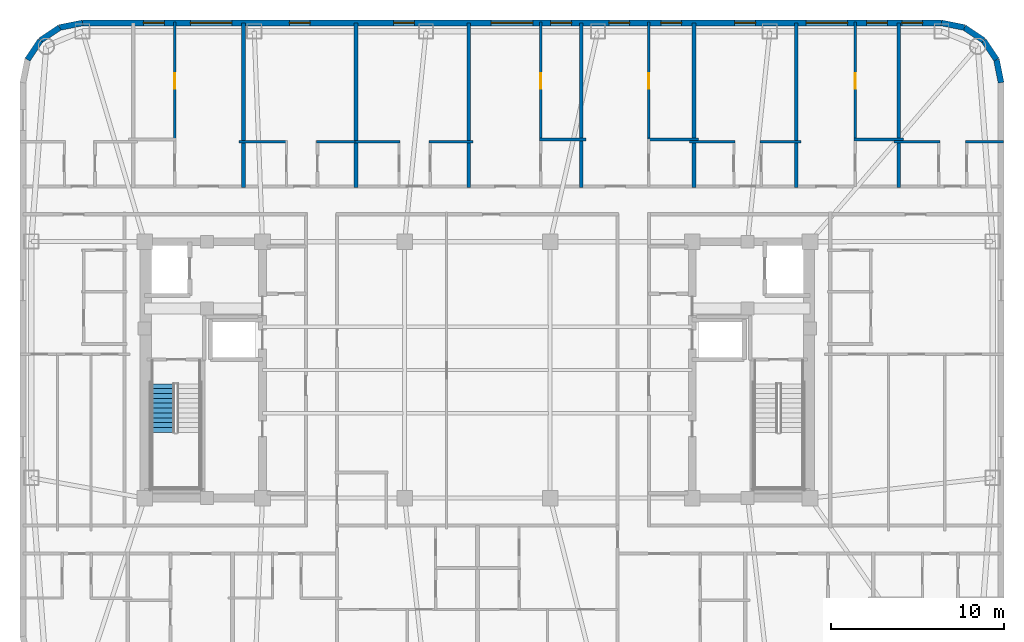
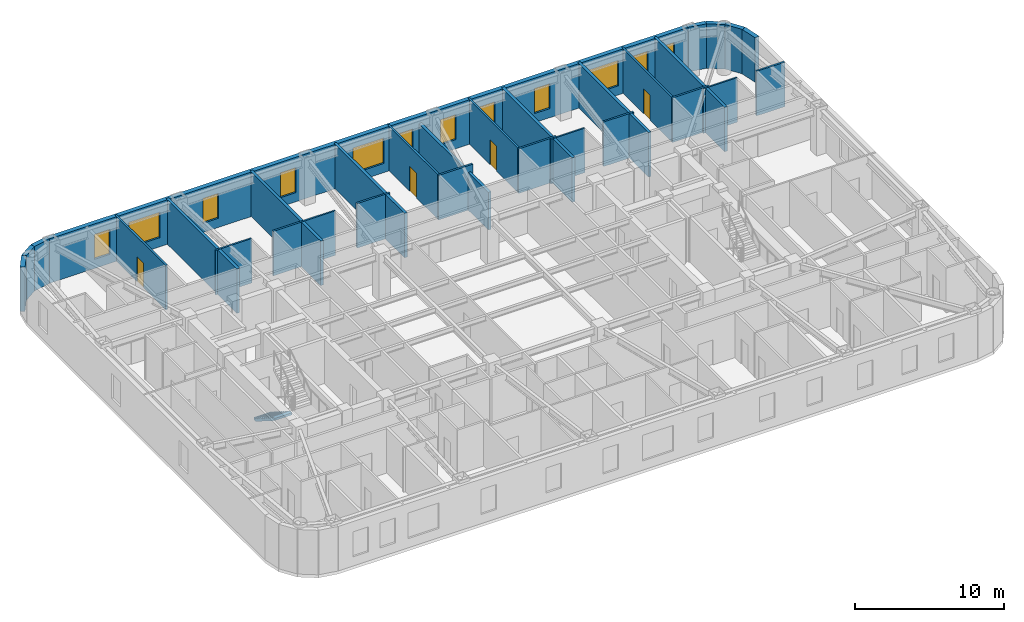
# One storey, part 8 of 11: 30 walls, 12 windows, 4 doors, 1 stair flight, 16 openings, 1 element without a shape of its own.
"""IFC4 building model written with IfcOpenShell, lengths in metres."""

from ifc_helpers import new_model, si_unit, direction, frame, frame_2d, origin, place, context, subcontext, project, spatial, polyline, rectangle, outline, extrude, material, layer, layer_set, type_object, element, fill, aggregate, save


model = new_model("IFC4")

# Units and contexts
model_context = context("Model", 3, precision=1e-05, world=origin(), true_north=direction((0.0, 1.0)))
body_context = subcontext(model_context, "Body", "Model", "MODEL_VIEW")
ifc_project = project(units=[si_unit("LENGTHUNIT", "METRE"), si_unit("AREAUNIT", "SQUARE_METRE"), si_unit("VOLUMEUNIT", "CUBIC_METRE"), si_unit("PLANEANGLEUNIT", "RADIAN"), si_unit("MASSUNIT", "GRAM", prefix="KILO")], contexts=[model_context])

# Site, building, storey
site_placement = place(None, origin())
site = spatial("IfcSite", under=ifc_project, at=site_placement, CompositionType="ELEMENT")
building_placement = place(site_placement, origin())
building = spatial("IfcBuilding", under=site, at=building_placement, Name="Voryun Gate Residences", CompositionType="ELEMENT")
storey_placement = place(building_placement, frame((0.0, 0.0, 247.0)))
storey = spatial("IfcBuildingStorey", under=building, at=storey_placement, Name="L61", CompositionType="ELEMENT", Elevation=247.0)

# Walls
ifc_material_1 = material(Name="Charcoal terracotta masonry", Category="masonry")
ifc_layer_1 = layer(ifc_material_1, 0.340087890625, Name="W_EXT_TERRACOTTA_340")
ifc_layer_set_1 = layer_set([ifc_layer_1], Name="Charcoal terracotta masonry")
wall_type_1 = type_object("IfcWallType", Name="W_EXT_TERRACOTTA_340", PredefinedType="ELEMENTEDWALL", material=ifc_layer_set_1)
for number, where, z_axis, x_axis, name in (
    (1, (-25.9658203125, 17.911376953125, 0.0), (0.0, 0.0, 1.0), (0.555669034571, 0.831403586725, 0.0), "Exterior wall WEXT-L61-08"),
    (2, (-25.222900390625, 19.02294921875, 0.0), (0.0, 0.0, 1.0), (0.831403586725, 0.555669034571, 0.0), "Exterior wall WEXT-L61-09"),
):
    element("IfcWall", number, at=place(storey_placement, frame(where, z_axis=z_axis, x_axis=x_axis)), inside=storey, type_object=wall_type_1, Name=name, PredefinedType="ELEMENTEDWALL", context=body_context, shape_type="SweptSolid", body=[
        extrude(rectangle(XDim=1.3369140625, YDim=0.340087890625, at=frame_2d((0.66845703125, 0.0))), origin(), (0.0, 0.0, 1.0), 3.64990234375),
    ])
wall_1_placement = place(storey_placement, frame((-24.111328125, 19.765869140625, 0.0), z_axis=(0.0, 0.0, 1.0), x_axis=(0.980788153188, 0.195075878998, 0.0)))
element("IfcWall", 3, at=wall_1_placement, inside=storey, type_object=wall_type_1, Name="Exterior wall WEXT-L61-10", PredefinedType="ELEMENTEDWALL", context=body_context, shape_type="SweptSolid", body=[
    extrude(rectangle(XDim=1.354248046875, YDim=0.340087890625, at=frame_2d((0.67724609375, 0.0))), origin(), (0.0, 0.0, 1.0), 3.64990234375),
])

# Wall, openings, windows
wall_2_placement = place(storey_placement, frame((-22.783203125, 20.030029296875, 0.0), z_axis=(0.0, 0.0, 1.0), x_axis=(1.0, 0.0, 0.0)))
wall_2 = element("IfcWall", 4, at=wall_2_placement, inside=storey, type_object=wall_type_1, Name="Exterior wall WEXT-L61-11", PredefinedType="ELEMENTEDWALL", context=body_context, shape_type="SweptSolid", body=[
    extrude(rectangle(XDim=49.56640625, YDim=0.340087890625, at=frame_2d((24.783203125, 0.0))), origin(), (0.0, 0.0, 1.0), 3.64990234375),
])
opening_1_placement = place(wall_2_placement, frame((6.211181640625, 0.0, 0.75)))
opening_1 = element("IfcOpeningElement", 5, at=opening_1_placement, cuts=wall_2, Name="Opening WN2", PredefinedType="OPENING", context=body_context, shape_type="SweptSolid", body=[
    extrude(rectangle(XDim=2.39990234375, YDim=2.10009765625, at=frame_2d((1.199951171875, 1.050048828125))), frame((0.0, 0.179931640625, 0.0), z_axis=(0.0, -1.0, 0.0), x_axis=(1.0, 0.0, 0.0)), (0.0, 0.0, 1.0), 0.360107421875),
])
opening_2_placement = place(wall_2_placement, frame((23.583251953125, 0.0, 0.75)))
opening_2 = element("IfcOpeningElement", 6, at=opening_2_placement, cuts=wall_2, Name="Opening WN2", PredefinedType="OPENING", context=body_context, shape_type="SweptSolid", body=[
    extrude(rectangle(XDim=2.39990234375, YDim=2.10009765625, at=frame_2d((1.199951171875, 1.050048828125))), frame((0.0, 0.179931640625, 0.0), z_axis=(0.0, -1.0, 0.0), x_axis=(1.0, 0.0, 0.0)), (0.0, 0.0, 1.0), 0.360107421875),
])
opening_3_placement = place(wall_2_placement, frame((41.755615234375, 0.0, 0.75)))
opening_3 = element("IfcOpeningElement", 7, at=opening_3_placement, cuts=wall_2, Name="Opening WN2", PredefinedType="OPENING", context=body_context, shape_type="SweptSolid", body=[
    extrude(rectangle(XDim=2.39990234375, YDim=2.10009765625, at=frame_2d((1.199951171875, 1.050048828125))), frame((0.0, 0.179931640625, 0.0), z_axis=(0.0, -1.0, 0.0), x_axis=(1.0, 0.0, 0.0)), (0.0, 0.0, 1.0), 0.360107421875),
])
opening_4_placement = place(wall_2_placement, frame((3.5107421875, 0.0, 0.75)))
opening_4 = element("IfcOpeningElement", 8, at=opening_4_placement, cuts=wall_2, Name="Opening WN6", PredefinedType="OPENING", context=body_context, shape_type="SweptSolid", body=[
    extrude(rectangle(XDim=1.199951171875, YDim=2.050048828125, at=frame_2d((0.60009765625, 1.02490234375))), frame((0.0, 0.179931640625, 0.0), z_axis=(0.0, -1.0, 0.0), x_axis=(1.0, 0.0, 0.0)), (0.0, 0.0, 1.0), 0.360107421875),
])
opening_5_placement = place(wall_2_placement, frame((11.933349609375, 0.0, 0.75)))
opening_5 = element("IfcOpeningElement", 9, at=opening_5_placement, cuts=wall_2, Name="Opening WN6", PredefinedType="OPENING", context=body_context, shape_type="SweptSolid", body=[
    extrude(rectangle(XDim=1.199951171875, YDim=2.050048828125, at=frame_2d((0.60009765625, 1.02490234375))), frame((0.0, 0.179931640625, 0.0), z_axis=(0.0, -1.0, 0.0), x_axis=(1.0, 0.0, 0.0)), (0.0, 0.0, 1.0), 0.360107421875),
])
opening_6_placement = place(wall_2_placement, frame((17.953369140625, 0.0, 0.75)))
opening_6 = element("IfcOpeningElement", 10, at=opening_6_placement, cuts=wall_2, Name="Opening WN6", PredefinedType="OPENING", context=body_context, shape_type="SweptSolid", body=[
    extrude(rectangle(XDim=1.199951171875, YDim=2.050048828125, at=frame_2d((0.60009765625, 1.02490234375))), frame((0.0, 0.179931640625, 0.0), z_axis=(0.0, -1.0, 0.0), x_axis=(1.0, 0.0, 0.0)), (0.0, 0.0, 1.0), 0.360107421875),
])
opening_7_placement = place(wall_2_placement, frame((27.017822265625, 0.0, 0.75)))
opening_7 = element("IfcOpeningElement", 11, at=opening_7_placement, cuts=wall_2, Name="Opening WN6", PredefinedType="OPENING", context=body_context, shape_type="SweptSolid", body=[
    extrude(rectangle(XDim=1.199951171875, YDim=2.050048828125, at=frame_2d((0.60009765625, 1.02490234375))), frame((0.0, 0.179931640625, 0.0), z_axis=(0.0, -1.0, 0.0), x_axis=(1.0, 0.0, 0.0)), (0.0, 0.0, 1.0), 0.360107421875),
])
opening_8_placement = place(wall_2_placement, frame((30.368408203125, 0.0, 0.75)))
opening_8 = element("IfcOpeningElement", 12, at=opening_8_placement, cuts=wall_2, Name="Opening WN6", PredefinedType="OPENING", context=body_context, shape_type="SweptSolid", body=[
    extrude(rectangle(XDim=1.199951171875, YDim=2.050048828125, at=frame_2d((0.60009765625, 1.02490234375))), frame((0.0, 0.179931640625, 0.0), z_axis=(0.0, -1.0, 0.0), x_axis=(1.0, 0.0, 0.0)), (0.0, 0.0, 1.0), 0.360107421875),
])
opening_9_placement = place(wall_2_placement, frame((33.37841796875, 0.0, 0.75)))
opening_9 = element("IfcOpeningElement", 13, at=opening_9_placement, cuts=wall_2, Name="Opening WN6", PredefinedType="OPENING", context=body_context, shape_type="SweptSolid", body=[
    extrude(rectangle(XDim=1.199951171875, YDim=2.050048828125, at=frame_2d((0.60009765625, 1.02490234375))), frame((0.0, 0.179931640625, 0.0), z_axis=(0.0, -1.0, 0.0), x_axis=(1.0, 0.0, 0.0)), (0.0, 0.0, 1.0), 0.360107421875),
])
opening_10_placement = place(wall_2_placement, frame((37.639404296875, 0.0, 0.75)))
opening_10 = element("IfcOpeningElement", 14, at=opening_10_placement, cuts=wall_2, Name="Opening WN6", PredefinedType="OPENING", context=body_context, shape_type="SweptSolid", body=[
    extrude(rectangle(XDim=1.199951171875, YDim=2.050048828125, at=frame_2d((0.60009765625, 1.02490234375))), frame((0.0, 0.179931640625, 0.0), z_axis=(0.0, -1.0, 0.0), x_axis=(1.0, 0.0, 0.0)), (0.0, 0.0, 1.0), 0.360107421875),
])
opening_11_placement = place(wall_2_placement, frame((45.250244140625, 0.0, 0.75)))
opening_11 = element("IfcOpeningElement", 15, at=opening_11_placement, cuts=wall_2, Name="Opening WN6", PredefinedType="OPENING", context=body_context, shape_type="SweptSolid", body=[
    extrude(rectangle(XDim=1.199951171875, YDim=2.050048828125, at=frame_2d((0.60009765625, 1.02490234375))), frame((0.0, 0.179931640625, 0.0), z_axis=(0.0, -1.0, 0.0), x_axis=(1.0, 0.0, 0.0)), (0.0, 0.0, 1.0), 0.360107421875),
])
opening_12_placement = place(wall_2_placement, frame((47.29248046875, 0.0, 0.75)))
opening_12 = element("IfcOpeningElement", 16, at=opening_12_placement, cuts=wall_2, Name="Opening WN6", PredefinedType="OPENING", context=body_context, shape_type="SweptSolid", body=[
    extrude(rectangle(XDim=1.199951171875, YDim=2.050048828125, at=frame_2d((0.60009765625, 1.02490234375))), frame((0.0, 0.179931640625, 0.0), z_axis=(0.0, -1.0, 0.0), x_axis=(1.0, 0.0, 0.0)), (0.0, 0.0, 1.0), 0.360107421875),
])
ifc_material_2 = material(Name="Laminated low-E glass", Category="glass")
window_type_1 = type_object("IfcWindowType", Name="WN_POD_SLOT_1200", PartitioningType="SINGLE_PANEL", PredefinedType="WINDOW", material=ifc_material_2)
window_1_placement = place(opening_4_placement, origin())
window_1 = element("IfcWindow", 17, at=window_1_placement, inside=storey, type_object=window_type_1, Name="Window WN-L61-DWFIX-02", OverallHeight=2.050048828125, OverallWidth=1.199951171875, PartitioningType="SINGLE_PANEL", PredefinedType="WINDOW", context=body_context, shape_type="SweptSolid", body=[
    extrude(rectangle(XDim=1.199951171875, YDim=2.050048828125, at=frame_2d((0.60009765625, 1.02490234375))), frame((0.0, 0.030029296875, 0.0), z_axis=(0.0, -1.0, 0.0), x_axis=(1.0, 0.0, 0.0)), (0.0, 0.0, 1.0), 0.06005859375),
])
fill(opening_4, window_1)
window_2_placement = place(opening_5_placement, origin())
window_2 = element("IfcWindow", 18, at=window_2_placement, inside=storey, type_object=window_type_1, Name="Window WN-L61-DWFIX-03", OverallHeight=2.050048828125, OverallWidth=1.199951171875, PartitioningType="SINGLE_PANEL", PredefinedType="WINDOW", context=body_context, shape_type="SweptSolid", body=[
    extrude(rectangle(XDim=1.199951171875, YDim=2.050048828125, at=frame_2d((0.60009765625, 1.02490234375))), frame((0.0, 0.030029296875, 0.0), z_axis=(0.0, -1.0, 0.0), x_axis=(1.0, 0.0, 0.0)), (0.0, 0.0, 1.0), 0.06005859375),
])
fill(opening_5, window_2)
window_3_placement = place(opening_6_placement, origin())
window_3 = element("IfcWindow", 19, at=window_3_placement, inside=storey, type_object=window_type_1, Name="Window WN-L61-DWFIX-04", OverallHeight=2.050048828125, OverallWidth=1.199951171875, PartitioningType="SINGLE_PANEL", PredefinedType="WINDOW", context=body_context, shape_type="SweptSolid", body=[
    extrude(rectangle(XDim=1.199951171875, YDim=2.050048828125, at=frame_2d((0.60009765625, 1.02490234375))), frame((0.0, 0.030029296875, 0.0), z_axis=(0.0, -1.0, 0.0), x_axis=(1.0, 0.0, 0.0)), (0.0, 0.0, 1.0), 0.06005859375),
])
fill(opening_6, window_3)
window_4_placement = place(opening_7_placement, origin())
window_4 = element("IfcWindow", 20, at=window_4_placement, inside=storey, type_object=window_type_1, Name="Window WN-L61-DWFIX-05", OverallHeight=2.050048828125, OverallWidth=1.199951171875, PartitioningType="SINGLE_PANEL", PredefinedType="WINDOW", context=body_context, shape_type="SweptSolid", body=[
    extrude(rectangle(XDim=1.199951171875, YDim=2.050048828125, at=frame_2d((0.60009765625, 1.02490234375))), frame((0.0, 0.030029296875, 0.0), z_axis=(0.0, -1.0, 0.0), x_axis=(1.0, 0.0, 0.0)), (0.0, 0.0, 1.0), 0.06005859375),
])
fill(opening_7, window_4)
window_5_placement = place(opening_8_placement, origin())
window_5 = element("IfcWindow", 21, at=window_5_placement, inside=storey, type_object=window_type_1, Name="Window WN-L61-DWFIX-06", OverallHeight=2.050048828125, OverallWidth=1.199951171875, PartitioningType="SINGLE_PANEL", PredefinedType="WINDOW", context=body_context, shape_type="SweptSolid", body=[
    extrude(rectangle(XDim=1.199951171875, YDim=2.050048828125, at=frame_2d((0.60009765625, 1.02490234375))), frame((0.0, 0.030029296875, 0.0), z_axis=(0.0, -1.0, 0.0), x_axis=(1.0, 0.0, 0.0)), (0.0, 0.0, 1.0), 0.06005859375),
])
fill(opening_8, window_5)
window_6_placement = place(opening_9_placement, origin())
window_6 = element("IfcWindow", 22, at=window_6_placement, inside=storey, type_object=window_type_1, Name="Window WN-L61-DWFIX-07", OverallHeight=2.050048828125, OverallWidth=1.199951171875, PartitioningType="SINGLE_PANEL", PredefinedType="WINDOW", context=body_context, shape_type="SweptSolid", body=[
    extrude(rectangle(XDim=1.199951171875, YDim=2.050048828125, at=frame_2d((0.60009765625, 1.02490234375))), frame((0.0, 0.030029296875, 0.0), z_axis=(0.0, -1.0, 0.0), x_axis=(1.0, 0.0, 0.0)), (0.0, 0.0, 1.0), 0.06005859375),
])
fill(opening_9, window_6)
window_7_placement = place(opening_10_placement, origin())
window_7 = element("IfcWindow", 23, at=window_7_placement, inside=storey, type_object=window_type_1, Name="Window WN-L61-DWFIX-08", OverallHeight=2.050048828125, OverallWidth=1.199951171875, PartitioningType="SINGLE_PANEL", PredefinedType="WINDOW", context=body_context, shape_type="SweptSolid", body=[
    extrude(rectangle(XDim=1.199951171875, YDim=2.050048828125, at=frame_2d((0.60009765625, 1.02490234375))), frame((0.0, 0.030029296875, 0.0), z_axis=(0.0, -1.0, 0.0), x_axis=(1.0, 0.0, 0.0)), (0.0, 0.0, 1.0), 0.06005859375),
])
fill(opening_10, window_7)
window_8_placement = place(opening_11_placement, origin())
window_8 = element("IfcWindow", 24, at=window_8_placement, inside=storey, type_object=window_type_1, Name="Window WN-L61-DWFIX-09", OverallHeight=2.050048828125, OverallWidth=1.199951171875, PartitioningType="SINGLE_PANEL", PredefinedType="WINDOW", context=body_context, shape_type="SweptSolid", body=[
    extrude(rectangle(XDim=1.199951171875, YDim=2.050048828125, at=frame_2d((0.60009765625, 1.02490234375))), frame((0.0, 0.030029296875, 0.0), z_axis=(0.0, -1.0, 0.0), x_axis=(1.0, 0.0, 0.0)), (0.0, 0.0, 1.0), 0.06005859375),
])
fill(opening_11, window_8)
window_9_placement = place(opening_12_placement, origin())
window_9 = element("IfcWindow", 25, at=window_9_placement, inside=storey, type_object=window_type_1, Name="Window WN-L61-DWFIX-10", OverallHeight=2.050048828125, OverallWidth=1.199951171875, PartitioningType="SINGLE_PANEL", PredefinedType="WINDOW", context=body_context, shape_type="SweptSolid", body=[
    extrude(rectangle(XDim=1.199951171875, YDim=2.050048828125, at=frame_2d((0.60009765625, 1.02490234375))), frame((0.0, 0.030029296875, 0.0), z_axis=(0.0, -1.0, 0.0), x_axis=(1.0, 0.0, 0.0)), (0.0, 0.0, 1.0), 0.06005859375),
])
fill(opening_12, window_9)
ifc_material_3 = material(Name="Laminated low-E glass", Category="glass")
window_type_2 = type_object("IfcWindowType", Name="WN_RES_WIDE_2400", PartitioningType="SINGLE_PANEL", PredefinedType="WINDOW", material=ifc_material_3)
window_10_placement = place(opening_1_placement, origin())
window_10 = element("IfcWindow", 26, at=window_10_placement, inside=storey, type_object=window_type_2, Name="Window WN-WEXT-L61-11-01", OverallHeight=2.10009765625, OverallWidth=2.39990234375, PartitioningType="SINGLE_PANEL", PredefinedType="WINDOW", context=body_context, shape_type="SweptSolid", body=[
    extrude(rectangle(XDim=2.39990234375, YDim=2.10009765625, at=frame_2d((1.199951171875, 1.050048828125))), frame((0.0, 0.030029296875, 0.0), z_axis=(0.0, -1.0, 0.0), x_axis=(1.0, 0.0, 0.0)), (0.0, 0.0, 1.0), 0.06005859375),
])
fill(opening_1, window_10)
window_11_placement = place(opening_2_placement, origin())
window_11 = element("IfcWindow", 27, at=window_11_placement, inside=storey, type_object=window_type_2, Name="Window WN-WEXT-L61-11-02", OverallHeight=2.10009765625, OverallWidth=2.39990234375, PartitioningType="SINGLE_PANEL", PredefinedType="WINDOW", context=body_context, shape_type="SweptSolid", body=[
    extrude(rectangle(XDim=2.39990234375, YDim=2.10009765625, at=frame_2d((1.199951171875, 1.050048828125))), frame((0.0, 0.030029296875, 0.0), z_axis=(0.0, -1.0, 0.0), x_axis=(1.0, 0.0, 0.0)), (0.0, 0.0, 1.0), 0.06005859375),
])
fill(opening_2, window_11)
window_12_placement = place(opening_3_placement, origin())
window_12 = element("IfcWindow", 28, at=window_12_placement, inside=storey, type_object=window_type_2, Name="Window WN-WEXT-L61-11-03", OverallHeight=2.10009765625, OverallWidth=2.39990234375, PartitioningType="SINGLE_PANEL", PredefinedType="WINDOW", context=body_context, shape_type="SweptSolid", body=[
    extrude(rectangle(XDim=2.39990234375, YDim=2.10009765625, at=frame_2d((1.199951171875, 1.050048828125))), frame((0.0, 0.030029296875, 0.0), z_axis=(0.0, -1.0, 0.0), x_axis=(1.0, 0.0, 0.0)), (0.0, 0.0, 1.0), 0.06005859375),
])
fill(opening_3, window_12)

# Walls
wall_3_placement = place(storey_placement, frame((26.783203125, 20.030029296875, 0.0), z_axis=(0.0, 0.0, 1.0), x_axis=(0.980788153188, -0.195075878998, 0.0)))
element("IfcWall", 29, at=wall_3_placement, inside=storey, type_object=wall_type_1, Name="Exterior wall WEXT-L61-12", PredefinedType="ELEMENTEDWALL", context=body_context, shape_type="SweptSolid", body=[
    extrude(rectangle(XDim=1.354248046875, YDim=0.340087890625, at=frame_2d((0.67724609375, 0.0))), origin(), (0.0, 0.0, 1.0), 3.64990234375),
])
for number, where, z_axis, x_axis, name in (
    (30, (28.111328125, 19.765869140625, 0.0), (0.0, 0.0, 1.0), (0.831403586725, -0.555669034571, 0.0), "Exterior wall WEXT-L61-13"),
    (31, (29.222900390625, 19.02294921875, 0.0), (0.0, 0.0, 1.0), (0.555669034571, -0.831403586725, 0.0), "Exterior wall WEXT-L61-14"),
):
    element("IfcWall", number, at=place(storey_placement, frame(where, z_axis=z_axis, x_axis=x_axis)), inside=storey, type_object=wall_type_1, Name=name, PredefinedType="ELEMENTEDWALL", context=body_context, shape_type="SweptSolid", body=[
        extrude(rectangle(XDim=1.3369140625, YDim=0.340087890625, at=frame_2d((0.66845703125, 0.0))), origin(), (0.0, 0.0, 1.0), 3.64990234375),
    ])
wall_4_placement = place(storey_placement, frame((29.9658203125, 17.911376953125, 0.0), z_axis=(0.0, 0.0, 1.0), x_axis=(0.195075878998, -0.980788153188, 0.0)))
element("IfcWall", 32, at=wall_4_placement, inside=storey, type_object=wall_type_1, Name="Exterior wall WEXT-L61-15", PredefinedType="ELEMENTEDWALL", context=body_context, shape_type="SweptSolid", body=[
    extrude(rectangle(XDim=1.354248046875, YDim=0.340087890625, at=frame_2d((0.67724609375, 0.0))), origin(), (0.0, 0.0, 1.0), 3.64990234375),
])
ifc_material_4 = material(Name="Concrete C40/50", Category="concrete")
ifc_layer_2 = layer(ifc_material_4, 0.219970703125, Name="W_PARTY_ACOUSTIC_220")
ifc_layer_set_2 = layer_set([ifc_layer_2], Name="Concrete C40/50")
wall_type_2 = type_object("IfcWallType", Name="W_PARTY_ACOUSTIC_220", PredefinedType="PARTITIONING", material=ifc_layer_set_2)
for number, where, z_axis, x_axis, name in (
    (33, (-13.5, 10.52001953125, 0.0), (0.0, 0.0, 1.0), (0.0, 1.0, 0.0), "Partition wall WP-L61-NPTY-2"),
    (34, (-7.0, 10.52001953125, 0.0), (0.0, 0.0, 1.0), (0.0, 1.0, 0.0), "Partition wall WP-L61-NPTY-3"),
    (35, (-0.5, 10.52001953125, 0.0), (0.0, 0.0, 1.0), (0.0, 1.0, 0.0), "Partition wall WP-L61-NPTY-4"),
):
    element("IfcWall", number, at=place(storey_placement, frame(where, z_axis=z_axis, x_axis=x_axis)), inside=storey, type_object=wall_type_2, Name=name, PredefinedType="PARTITIONING", context=body_context, shape_type="SweptSolid", body=[
        extrude(rectangle(XDim=9.510009765625, YDim=0.219970703125, at=frame_2d((4.7548828125, 0.0))), origin(), (0.0, 0.0, 1.0), 3.64990234375),
    ])
wall_5_placement = place(storey_placement, frame((6.0, 10.52001953125, 0.0), z_axis=(0.0, 0.0, 1.0), x_axis=(0.0, 1.0, 0.0)))
element("IfcWall", 36, at=wall_5_placement, inside=storey, type_object=wall_type_2, Name="Partition wall WP-L61-NPTY-5", PredefinedType="PARTITIONING", context=body_context, shape_type="SweptSolid", body=[
    extrude(rectangle(XDim=9.510009765625, YDim=0.219970703125, at=frame_2d((4.7548828125, 0.0))), origin(), (0.0, 0.0, 1.0), 3.090087890625),
])
for number, where, z_axis, x_axis, name in (
    (37, (12.5, 10.52001953125, 0.0), (0.0, 0.0, 1.0), (0.0, 1.0, 0.0), "Partition wall WP-L61-NPTY-6"),
    (38, (18.412109375, 10.52001953125, 0.0), (0.0, 0.0, 1.0), (0.0, 1.0, 0.0), "Partition wall WP-L61-NPTY-7"),
    (39, (24.324951171875, 10.52001953125, 0.0), (0.0, 0.0, 1.0), (0.0, 1.0, 0.0), "Partition wall WP-L61-NPTY-8"),
):
    element("IfcWall", number, at=place(storey_placement, frame(where, z_axis=z_axis, x_axis=x_axis)), inside=storey, type_object=wall_type_2, Name=name, PredefinedType="PARTITIONING", context=body_context, shape_type="SweptSolid", body=[
        extrude(rectangle(XDim=9.510009765625, YDim=0.219970703125, at=frame_2d((4.7548828125, 0.0))), origin(), (0.0, 0.0, 1.0), 3.64990234375),
    ])
ifc_material_5 = material(Name="Gypsum acoustic partition")
ifc_layer_3 = layer(ifc_material_5, 0.125, Name="W_UNIT_PART_125")
ifc_layer_set_3 = layer_set([ifc_layer_3], Name="Gypsum acoustic partition")
wall_type_3 = type_object("IfcWallType", Name="W_UNIT_PART_125", PredefinedType="PARTITIONING", material=ifc_layer_set_3)
wall_6_placement = place(storey_placement, frame((-13.760009765625, 13.169921875, 0.0), z_axis=(0.0, 0.0, 1.0), x_axis=(1.0, 0.0, 0.0)))
element("IfcWall", 40, at=wall_6_placement, inside=storey, type_object=wall_type_3, Name="Partition wall WP-L61-N3-CHK", PredefinedType="PARTITIONING", context=body_context, shape_type="SweptSolid", body=[
    extrude(rectangle(XDim=2.803955078125, YDim=0.125, at=frame_2d((1.40185546875, 0.0))), origin(), (0.0, 0.0, 1.0), 3.64990234375),
])
wall_7_placement = place(storey_placement, frame((-7.074951171875, 13.169921875, 0.0), z_axis=(0.0, 0.0, 1.0), x_axis=(1.0, 0.0, 0.0)))
element("IfcWall", 41, at=wall_7_placement, inside=storey, type_object=wall_type_3, Name="Partition wall WP-L61-N4-CHK", PredefinedType="PARTITIONING", context=body_context, shape_type="SweptSolid", body=[
    extrude(rectangle(XDim=2.618896484375, YDim=0.125, at=frame_2d((1.3095703125, 0.0))), origin(), (0.0, 0.0, 1.0), 3.64990234375),
])
for number, where, z_axis, x_axis, name in (
    (42, (12.239990234375, 13.169921875, 0.0), (0.0, 0.0, 1.0), (1.0, 0.0, 0.0), "Partition wall WP-L61-N7-CHK"),
    (43, (24.06494140625, 13.169921875, 0.0), (0.0, 0.0, 1.0), (1.0, 0.0, 0.0), "Partition wall WP-L61-N9-CHK"),
):
    element("IfcWall", number, at=place(storey_placement, frame(where, z_axis=z_axis, x_axis=x_axis)), inside=storey, type_object=wall_type_3, Name=name, PredefinedType="PARTITIONING", context=body_context, shape_type="SweptSolid", body=[
        extrude(rectangle(XDim=2.630126953125, YDim=0.125, at=frame_2d((1.31494140625, 0.0))), origin(), (0.0, 0.0, 1.0), 3.64990234375),
    ])

# Wall, opening, door
ifc_material_6 = material(Name="Gypsum moisture-resistant partition")
ifc_layer_4 = layer(ifc_material_6, 0.14990234375, Name="W_WET_PLUMB_150")
ifc_layer_set_4 = layer_set([ifc_layer_4], Name="Gypsum moisture-resistant partition")
wall_type_4 = type_object("IfcWallType", Name="W_WET_PLUMB_150", PredefinedType="PLUMBINGWALL", material=ifc_layer_set_4)
wall_8_placement = place(storey_placement, frame((-17.47705078125, 13.260009765625, 0.0), z_axis=(0.0, 0.0, 1.0), x_axis=(0.0, 1.0, 0.0)))
wall_8 = element("IfcWall", 44, at=wall_8_placement, inside=storey, type_object=wall_type_4, Name="Partition wall WP-L61-N2-SVT2", PredefinedType="PLUMBINGWALL", context=body_context, shape_type="SweptSolid", body=[
    extrude(rectangle(XDim=6.81689453125, YDim=0.14990234375, at=frame_2d((3.408447265625, 0.0))), origin(), (0.0, 0.0, 1.0), 3.64990234375),
])
opening_13_placement = place(wall_8_placement, frame((2.95849609375, 0.0, 0.0)))
opening_13 = element("IfcOpeningElement", 45, at=opening_13_placement, cuts=wall_8, Name="Opening D-INT-2", PredefinedType="OPENING", context=body_context, shape_type="SweptSolid", body=[
    extrude(rectangle(XDim=0.89990234375, YDim=2.050048828125, at=frame_2d((0.449951171875, 1.02490234375))), frame((0.0, 0.0849609375, 0.0), z_axis=(0.0, -1.0, 0.0), x_axis=(1.0, 0.0, 0.0)), (0.0, 0.0, 1.0), 0.169921875),
])
ifc_material_7 = material(Name="Architectural oak veneer")
door_type = type_object("IfcDoorType", Name="DR_INT_BATH_900", OperationType="NOTDEFINED", PredefinedType="DOOR", material=ifc_material_7)
door_1_placement = place(opening_13_placement, origin())
door_1 = element("IfcDoor", 46, at=door_1_placement, inside=storey, type_object=door_type, Name="Door DR-L61-N2-DK", OperationType="SINGLE_SWING_RIGHT", OverallHeight=2.050048828125, OverallWidth=0.89990234375, PredefinedType="DOOR", context=body_context, shape_type="SweptSolid", body=[
    extrude(rectangle(XDim=0.89990234375, YDim=2.050048828125, at=frame_2d((0.449951171875, 1.02490234375))), frame((0.0, 0.02490234375, 0.0), z_axis=(0.0, -1.0, 0.0), x_axis=(1.0, 0.0, 0.0)), (0.0, 0.0, 1.0), 0.050048828125),
])
fill(opening_13, door_1)

# Walls
wall_9_placement = place(storey_placement, frame((-9.2890625, 13.169921875, 0.0), z_axis=(0.0, 0.0, 1.0), x_axis=(1.0, 0.0, 0.0)))
element("IfcWall", 47, at=wall_9_placement, inside=storey, type_object=wall_type_4, Name="Partition wall WP-L61-N3-CHB", PredefinedType="PLUMBINGWALL", context=body_context, shape_type="SweptSolid", body=[
    extrude(rectangle(XDim=2.364013671875, YDim=0.14990234375, at=frame_2d((1.18212890625, 0.0))), origin(), (0.0, 0.0, 1.0), 3.64990234375),
])
wall_10_placement = place(storey_placement, frame((-2.7890625, 13.169921875, 0.0), z_axis=(0.0, 0.0, 1.0), x_axis=(1.0, 0.0, 0.0)))
element("IfcWall", 48, at=wall_10_placement, inside=storey, type_object=wall_type_4, Name="Partition wall WP-L61-N4-CHB", PredefinedType="PLUMBINGWALL", context=body_context, shape_type="SweptSolid", body=[
    extrude(rectangle(XDim=2.549072265625, YDim=0.14990234375, at=frame_2d((1.2744140625, 0.0))), origin(), (0.0, 0.0, 1.0), 3.64990234375),
])
wall_11_placement = place(storey_placement, frame((3.589111328125, 13.300048828125, 0.0), z_axis=(0.0, 0.0, 1.0), x_axis=(1.0, 0.0, 0.0)))
element("IfcWall", 49, at=wall_11_placement, inside=storey, type_object=wall_type_4, Name="Partition wall WP-L61-N5-SKB", PredefinedType="PLUMBINGWALL", context=body_context, shape_type="SweptSolid", body=[
    extrude(rectangle(XDim=2.6708984375, YDim=0.14990234375, at=frame_2d((1.33544921875, 0.0))), origin(), (0.0, 0.0, 1.0), 3.64990234375),
])

# Wall, opening, door
wall_12_placement = place(storey_placement, frame((3.6689453125, 13.260009765625, 0.0), z_axis=(0.0, 0.0, 1.0), x_axis=(0.0, 1.0, 0.0)))
wall_12 = element("IfcWall", 50, at=wall_12_placement, inside=storey, type_object=wall_type_4, Name="Partition wall WP-L61-N5-SVT2", PredefinedType="PLUMBINGWALL", context=body_context, shape_type="SweptSolid", body=[
    extrude(rectangle(XDim=6.81689453125, YDim=0.14990234375, at=frame_2d((3.408447265625, 0.0))), origin(), (0.0, 0.0, 1.0), 3.64990234375),
])
opening_14_placement = place(wall_12_placement, frame((2.95849609375, 0.0, 0.0)))
opening_14 = element("IfcOpeningElement", 51, at=opening_14_placement, cuts=wall_12, Name="Opening D-INT-2", PredefinedType="OPENING", context=body_context, shape_type="SweptSolid", body=[
    extrude(rectangle(XDim=0.89990234375, YDim=2.050048828125, at=frame_2d((0.449951171875, 1.02490234375))), frame((0.0, 0.0849609375, 0.0), z_axis=(0.0, -1.0, 0.0), x_axis=(1.0, 0.0, 0.0)), (0.0, 0.0, 1.0), 0.169921875),
])
door_2_placement = place(opening_14_placement, origin())
door_2 = element("IfcDoor", 52, at=door_2_placement, inside=storey, type_object=door_type, Name="Door DR-L61-N5-DK", OperationType="SINGLE_SWING_RIGHT", OverallHeight=2.050048828125, OverallWidth=0.89990234375, PredefinedType="DOOR", context=body_context, shape_type="SweptSolid", body=[
    extrude(rectangle(XDim=0.89990234375, YDim=2.050048828125, at=frame_2d((0.449951171875, 1.02490234375))), frame((0.0, 0.02490234375, 0.0), z_axis=(0.0, -1.0, 0.0), x_axis=(1.0, 0.0, 0.0)), (0.0, 0.0, 1.0), 0.050048828125),
])
fill(opening_14, door_2)

# Wall
wall_13_placement = place(storey_placement, frame((9.81005859375, 13.300048828125, 0.0), z_axis=(0.0, 0.0, 1.0), x_axis=(1.0, 0.0, 0.0)))
element("IfcWall", 53, at=wall_13_placement, inside=storey, type_object=wall_type_4, Name="Partition wall WP-L61-N6-SKB", PredefinedType="PLUMBINGWALL", context=body_context, shape_type="SweptSolid", body=[
    extrude(rectangle(XDim=2.949951171875, YDim=0.14990234375, at=frame_2d((1.47509765625, 0.0))), origin(), (0.0, 0.0, 1.0), 3.64990234375),
])

# Wall, opening, door
wall_14_placement = place(storey_placement, frame((9.889892578125, 13.260009765625, 0.0), z_axis=(0.0, 0.0, 1.0), x_axis=(0.0, 1.0, 0.0)))
wall_14 = element("IfcWall", 54, at=wall_14_placement, inside=storey, type_object=wall_type_4, Name="Partition wall WP-L61-N6-SVT2", PredefinedType="PLUMBINGWALL", context=body_context, shape_type="SweptSolid", body=[
    extrude(rectangle(XDim=6.81689453125, YDim=0.14990234375, at=frame_2d((3.408447265625, 0.0))), origin(), (0.0, 0.0, 1.0), 3.64990234375),
])
opening_15_placement = place(wall_14_placement, frame((2.95849609375, 0.0, 0.0)))
opening_15 = element("IfcOpeningElement", 55, at=opening_15_placement, cuts=wall_14, Name="Opening D-INT-2", PredefinedType="OPENING", context=body_context, shape_type="SweptSolid", body=[
    extrude(rectangle(XDim=0.89990234375, YDim=2.050048828125, at=frame_2d((0.449951171875, 1.02490234375))), frame((0.0, 0.0849609375, 0.0), z_axis=(0.0, -1.0, 0.0), x_axis=(1.0, 0.0, 0.0)), (0.0, 0.0, 1.0), 0.169921875),
])
door_3_placement = place(opening_15_placement, origin())
door_3 = element("IfcDoor", 56, at=door_3_placement, inside=storey, type_object=door_type, Name="Door DR-L61-N6-DK", OperationType="SINGLE_SWING_RIGHT", OverallHeight=2.050048828125, OverallWidth=0.89990234375, PredefinedType="DOOR", context=body_context, shape_type="SweptSolid", body=[
    extrude(rectangle(XDim=0.89990234375, YDim=2.050048828125, at=frame_2d((0.449951171875, 1.02490234375))), frame((0.0, 0.02490234375, 0.0), z_axis=(0.0, -1.0, 0.0), x_axis=(1.0, 0.0, 0.0)), (0.0, 0.0, 1.0), 0.050048828125),
])
fill(opening_15, door_3)

# Walls
wall_15_placement = place(storey_placement, frame((16.322998046875, 13.169921875, 0.0), z_axis=(0.0, 0.0, 1.0), x_axis=(1.0, 0.0, 0.0)))
element("IfcWall", 57, at=wall_15_placement, inside=storey, type_object=wall_type_4, Name="Partition wall WP-L61-N7-CHB", PredefinedType="PLUMBINGWALL", context=body_context, shape_type="SweptSolid", body=[
    extrude(rectangle(XDim=2.34912109375, YDim=0.14990234375, at=frame_2d((1.174560546875, 0.0))), origin(), (0.0, 0.0, 1.0), 3.64990234375),
])
wall_16_placement = place(storey_placement, frame((21.72900390625, 13.300048828125, 0.0), z_axis=(0.0, 0.0, 1.0), x_axis=(1.0, 0.0, 0.0)))
element("IfcWall", 58, at=wall_16_placement, inside=storey, type_object=wall_type_4, Name="Partition wall WP-L61-N8-SKB", PredefinedType="PLUMBINGWALL", context=body_context, shape_type="SweptSolid", body=[
    extrude(rectangle(XDim=2.85595703125, YDim=0.14990234375, at=frame_2d((1.427978515625, 0.0))), origin(), (0.0, 0.0, 1.0), 3.64990234375),
])

# Wall, opening, door
wall_17_placement = place(storey_placement, frame((21.80908203125, 13.260009765625, 0.0), z_axis=(0.0, 0.0, 1.0), x_axis=(0.0, 1.0, 0.0)))
wall_17 = element("IfcWall", 59, at=wall_17_placement, inside=storey, type_object=wall_type_4, Name="Partition wall WP-L61-N8-SVT2", PredefinedType="PLUMBINGWALL", context=body_context, shape_type="SweptSolid", body=[
    extrude(rectangle(XDim=6.81689453125, YDim=0.14990234375, at=frame_2d((3.408447265625, 0.0))), origin(), (0.0, 0.0, 1.0), 3.64990234375),
])
opening_16_placement = place(wall_17_placement, frame((2.95849609375, 0.0, 0.0)))
opening_16 = element("IfcOpeningElement", 60, at=opening_16_placement, cuts=wall_17, Name="Opening D-INT-2", PredefinedType="OPENING", context=body_context, shape_type="SweptSolid", body=[
    extrude(rectangle(XDim=0.89990234375, YDim=2.050048828125, at=frame_2d((0.449951171875, 1.02490234375))), frame((0.0, 0.0849609375, 0.0), z_axis=(0.0, -1.0, 0.0), x_axis=(1.0, 0.0, 0.0)), (0.0, 0.0, 1.0), 0.169921875),
])
door_4_placement = place(opening_16_placement, origin())
door_4 = element("IfcDoor", 61, at=door_4_placement, inside=storey, type_object=door_type, Name="Door DR-L61-N8-DK", OperationType="SINGLE_SWING_RIGHT", OverallHeight=2.050048828125, OverallWidth=0.89990234375, PredefinedType="DOOR", context=body_context, shape_type="SweptSolid", body=[
    extrude(rectangle(XDim=0.89990234375, YDim=2.050048828125, at=frame_2d((0.449951171875, 1.02490234375))), frame((0.0, 0.02490234375, 0.0), z_axis=(0.0, -1.0, 0.0), x_axis=(1.0, 0.0, 0.0)), (0.0, 0.0, 1.0), 0.050048828125),
])
fill(opening_16, door_4)

# Wall
wall_18_placement = place(storey_placement, frame((28.18701171875, 13.169921875, 0.0), z_axis=(0.0, 0.0, 1.0), x_axis=(1.0, 0.0, 0.0)))
element("IfcWall", 62, at=wall_18_placement, inside=storey, type_object=wall_type_4, Name="Partition wall WP-L61-N9-CHB", PredefinedType="PLUMBINGWALL", context=body_context, shape_type="SweptSolid", body=[
    extrude(rectangle(XDim=2.19287109375, YDim=0.14990234375, at=frame_2d((1.096435546875, 0.0))), origin(), (0.0, 0.0, 1.0), 3.64990234375),
])

# Stair, stair flight
ifc_material_8 = material(Name="Concrete C40/50", Category="concrete")
stair_type = type_object("IfcStairType", Name="STR_CORE_DOGLEG_1350", PredefinedType="HALF_TURN_STAIR", material=ifc_material_8)
stair_placement = place(storey_placement, origin())
stair = element("IfcStair", 63, at=stair_placement, inside=storey, type_object=stair_type, Name="L61 Special Escape Stair ST-W1", PredefinedType="HALF_TURN_STAIR")
ifc_material_9 = material(Name="Concrete C40/50", Category="concrete")
stair_flight_type = type_object("IfcStairFlightType", Name="FLT_CORE_1350", PredefinedType="STRAIGHT", material=ifc_material_9)
stair_flight_placement = place(storey_placement, frame((-18.14990234375, -0.800048828125, 0.0), z_axis=(0.0, 0.0, 1.0), x_axis=(0.0, -1.0, 0.0)))
stair_flight = element("IfcStairFlight", 64, at=stair_flight_placement, type_object=stair_flight_type, Name="ST-W1 flight 1", NumberOfRisers=11, NumberOfTreads=10, PredefinedType="STRAIGHT", RiserHeight=0.177272727, TreadLength=0.28, context=body_context, shape_type="SweptSolid", body=[
    extrude(outline(polyline([(0.0, 0.0), (0.0, 0.17724609375), (0.280029296875, 0.17724609375), (0.280029296875, 0.3544921875), (0.56005859375, 0.3544921875), (0.56005859375, 0.53173828125), (0.840087890625, 0.53173828125), (0.840087890625, 0.708984375), (1.1201171875, 0.708984375), (1.1201171875, 0.886474609375), (1.39990234375, 0.886474609375), (1.39990234375, 1.063720703125), (1.679931640625, 1.063720703125), (1.679931640625, 1.240966796875), (1.9599609375, 1.240966796875), (1.9599609375, 1.418212890625), (2.239990234375, 1.418212890625), (2.239990234375, 1.595458984375), (2.52001953125, 1.595458984375), (2.52001953125, 1.772705078125), (2.800048828125, 1.772705078125), (2.800048828125, 1.949951171875), (2.800048828125, 1.59521484375), (0.2802734375, 0.0), (0.0, 0.0)])), frame((0.0, 0.675048828125, 0.0), z_axis=(0.0, -1.0, 0.0), x_axis=(1.0, 0.0, 0.0)), (0.0, 0.0, 1.0), 1.35009765625),
])
aggregate(stair, [stair_flight])

save(model, "model.ifc")
